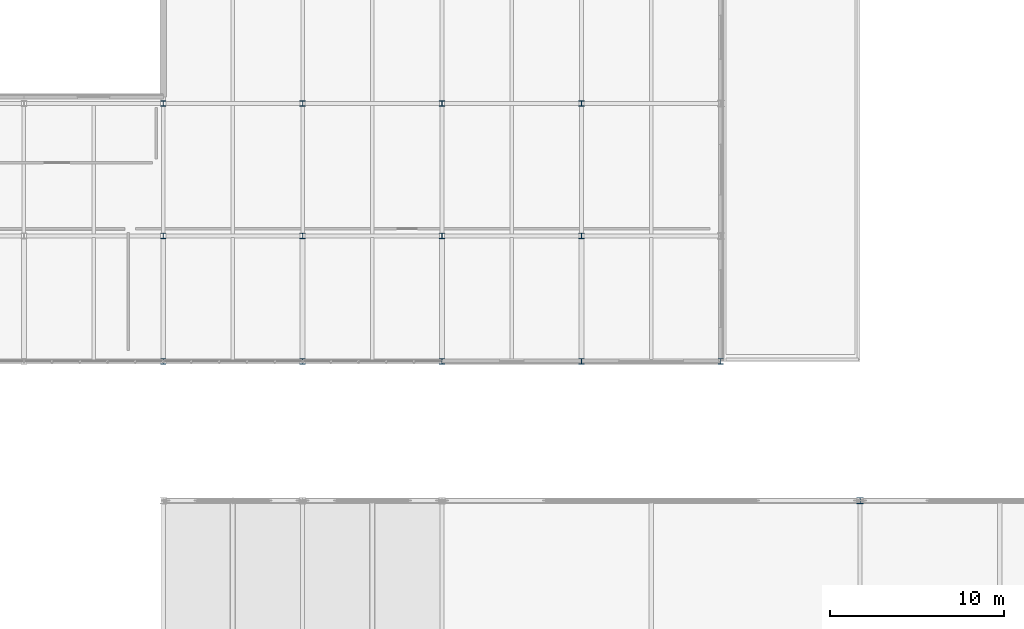
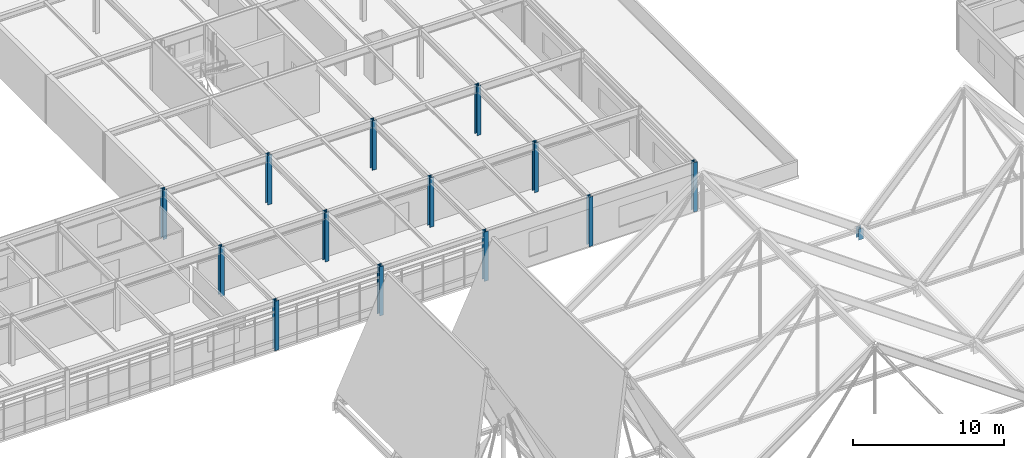
# One storey, part 8 of 85: 14 columns.
"""IFC4 building model written with IfcOpenShell, lengths in metres."""

from ifc_helpers import new_model, si_unit, direction, frame, origin, origin_2d, place, context, subcontext, project, spatial, i_section, extrude, material, material_profile, profile_set, type_object, element, save


model = new_model("IFC4")

# Units and contexts
model_context = context("Model", 3, precision=1e-05, world=origin(), true_north=direction((0.0, 1.0)))
body_context = subcontext(model_context, "Body", "Model", "MODEL_VIEW")
ifc_project = project(units=[si_unit("LENGTHUNIT", "METRE"), si_unit("AREAUNIT", "SQUARE_METRE"), si_unit("VOLUMEUNIT", "CUBIC_METRE"), si_unit("PLANEANGLEUNIT", "RADIAN"), si_unit("MASSUNIT", "GRAM", prefix="KILO")], contexts=[model_context])

# Site, building, storey
site_placement = place(None, origin())
site = spatial("IfcSite", under=ifc_project, at=site_placement, CompositionType="ELEMENT")
building_placement = place(site_placement, origin())
building = spatial("IfcBuilding", under=site, at=building_placement, Name="Zulena Civic Courthouse", CompositionType="ELEMENT")
storey_placement = place(building_placement, frame((0.0, 0.0, 25.199951171875)))
storey = spatial("IfcBuildingStorey", under=building, at=storey_placement, Name="L05", CompositionType="ELEMENT", Elevation=25.199951171875)

# Columns
ifc_material = material(Name="Steel ASTM A992 Grade 50", Category="steel")
ifc_material_profile_1 = material_profile(ifc_material, i_section(OverallWidth=0.30908203125, OverallDepth=0.322998046875, WebThickness=0.013916015625, FlangeThickness=0.02294921875, FilletRadius=0.01513671875, at=origin_2d()), Name="W12X96")
ifc_profile_set_1 = profile_set([ifc_material_profile_1], Name="Steel ASTM A992 Grade 50")
column_type_1 = type_object("IfcColumnType", Name="Col_W12X96", PredefinedType="COLUMN", material=ifc_profile_set_1)
for number, where, z_axis, x_axis, name in (
    (1, (68.0, 46.0, 0.0), (0.0, 0.0, 1.0), (1.0, 0.0, 0.0), "col:V5:L05:68.0:46.0"),
    (2, (68.0, 53.199951171875, 0.0), (0.0, 0.0, 1.0), (1.0, 0.0, 0.0), "col:V5:L05:68.0:53.2"),
    (3, (68.0, 60.800048828125, 0.0), (0.0, 0.0, 1.0), (1.0, 0.0, 0.0), "col:V5:L05:68.0:60.8"),
    (4, (76.0, 46.0, 0.0), (0.0, 0.0, 1.0), (1.0, 0.0, 0.0), "col:V5:L05:76.0:46.0"),
    (5, (76.0, 53.199951171875, 0.0), (0.0, 0.0, 1.0), (1.0, 0.0, 0.0), "col:V5:L05:76.0:53.2"),
    (6, (76.0, 60.800048828125, 0.0), (0.0, 0.0, 1.0), (1.0, 0.0, 0.0), "col:V5:L05:76.0:60.8"),
    (7, (84.0, 46.0, 0.0), (0.0, 0.0, 1.0), (1.0, 0.0, 0.0), "col:V5:L05:84.0:46.0"),
    (8, (84.0, 53.199951171875, 0.0), (0.0, 0.0, 1.0), (1.0, 0.0, 0.0), "col:V5:L05:84.0:53.2"),
    (9, (84.0, 60.800048828125, 0.0), (0.0, 0.0, 1.0), (1.0, 0.0, 0.0), "col:V5:L05:84.0:60.8"),
    (10, (92.0, 46.0, 0.0), (0.0, 0.0, 1.0), (1.0, 0.0, 0.0), "col:V5:L05:92.0:46.0"),
    (11, (92.0, 53.199951171875, 0.0), (0.0, 0.0, 1.0), (1.0, 0.0, 0.0), "col:V5:L05:92.0:53.2"),
    (12, (92.0, 60.800048828125, 0.0), (0.0, 0.0, 1.0), (1.0, 0.0, 0.0), "col:V5:L05:92.0:60.8"),
    (13, (100.0, 46.0, 0.0), (0.0, 0.0, 1.0), (1.0, 0.0, 0.0), "col:V5:L05:100.0:46.0"),
):
    element("IfcColumn", number, at=place(storey_placement, frame(where, z_axis=z_axis, x_axis=x_axis)), inside=storey, type_object=column_type_1, Name=name, PredefinedType="COLUMN", context=body_context, shape_type="SweptSolid", body=[
        extrude(i_section(OverallWidth=0.30908203125, OverallDepth=0.322998046875, WebThickness=0.013916015625, FlangeThickness=0.02294921875, FilletRadius=0.01513671875, at=origin_2d()), origin(), (0.0, 0.0, 1.0), 3.9951171875),
    ])
ifc_material_profile_2 = material_profile(ifc_material, i_section(OverallWidth=0.373046875, OverallDepth=0.367919921875, WebThickness=0.014892578125, FlangeThickness=0.02392578125, FilletRadius=0.01513671875, at=origin_2d()), Name="W14X120")
ifc_profile_set_2 = profile_set([ifc_material_profile_2], Name="Steel ASTM A992 Grade 50")
column_type_2 = type_object("IfcColumnType", Name="Col_W14X120", PredefinedType="COLUMN", material=ifc_profile_set_2)
column_placement = place(storey_placement, frame((108.0, 38.0, -0.195068359375), z_axis=(0.0, 0.0, 1.0), x_axis=(1.0, 0.0, 0.0)))
element("IfcColumn", 14, at=column_placement, inside=storey, type_object=column_type_2, Name="col:foldV:L05:108.0:38.0", PredefinedType="COLUMN", context=body_context, shape_type="SweptSolid", body=[
    extrude(i_section(OverallWidth=0.373046875, OverallDepth=0.367919921875, WebThickness=0.014892578125, FlangeThickness=0.02392578125, FilletRadius=0.01513671875, at=origin_2d()), origin(), (0.0, 0.0, 1.0), 0.8916015625),
])

save(model, "model.ifc")
